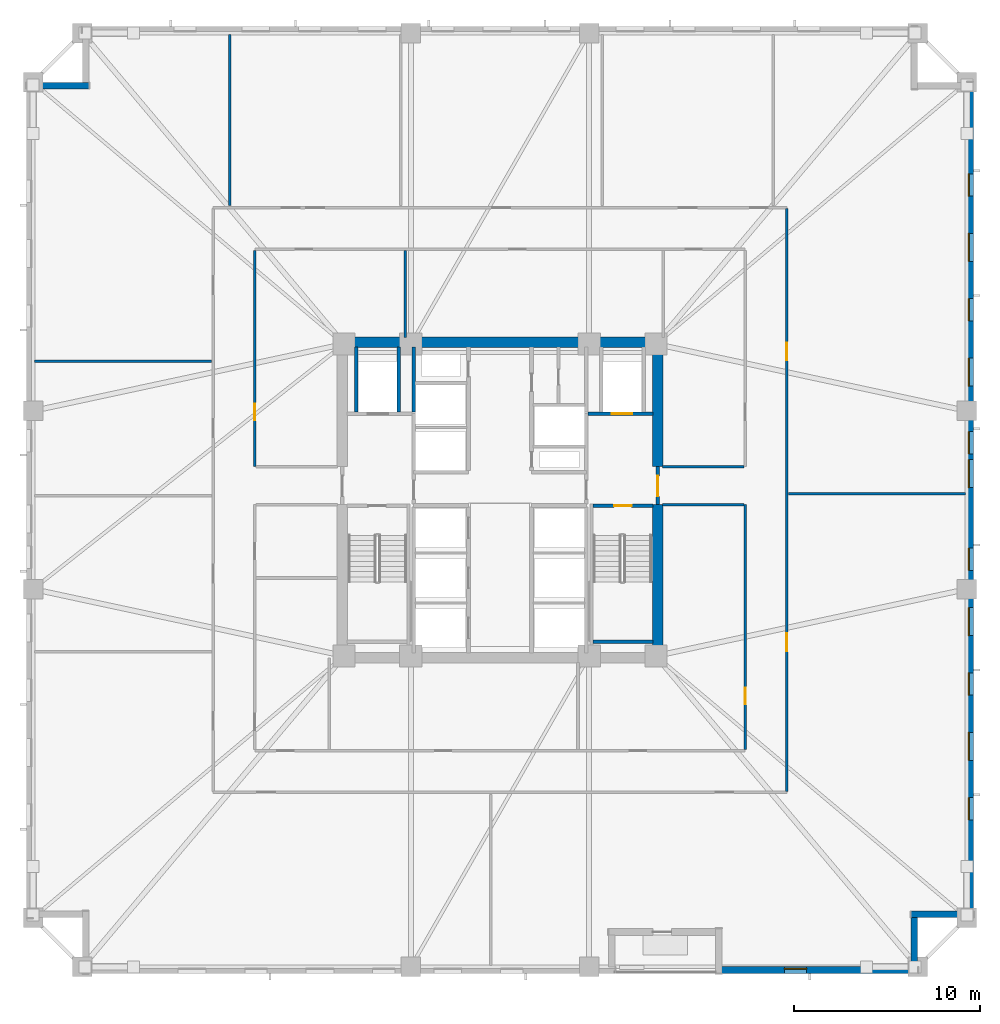
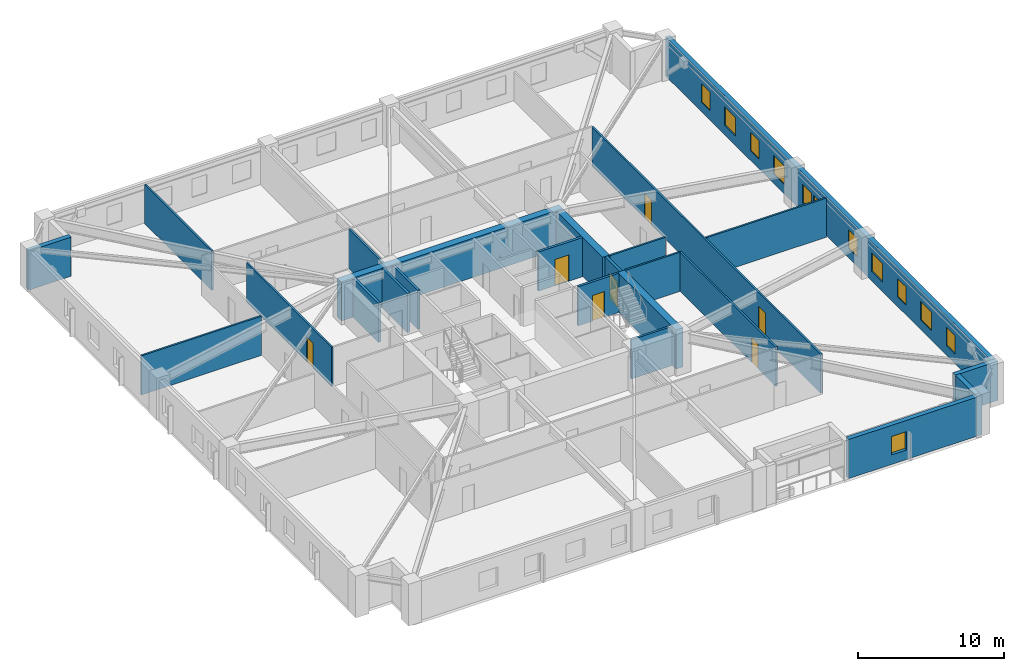
# One storey, part 4 of 11: 24 walls, 12 windows, 7 doors, 19 openings.
"""IFC4 building model written with IfcOpenShell, lengths in metres."""

from ifc_helpers import new_model, si_unit, direction, frame, frame_2d, origin, place, context, subcontext, project, spatial, rectangle, extrude, material, layer, layer_set, type_object, element, fill, save


model = new_model("IFC4")

# Units and contexts
model_context = context("Model", 3, precision=1e-05, world=origin(), true_north=direction((0.0, 1.0)))
body_context = subcontext(model_context, "Body", "Model", "MODEL_VIEW")
ifc_project = project(units=[si_unit("LENGTHUNIT", "METRE"), si_unit("AREAUNIT", "SQUARE_METRE"), si_unit("VOLUMEUNIT", "CUBIC_METRE"), si_unit("PLANEANGLEUNIT", "RADIAN"), si_unit("MASSUNIT", "GRAM", prefix="KILO")], contexts=[model_context])

# Site, building, storey
site_placement = place(None, origin())
site = spatial("IfcSite", under=ifc_project, at=site_placement, CompositionType="ELEMENT")
building_placement = place(site_placement, origin())
building = spatial("IfcBuilding", under=site, at=building_placement, Name="Cairnveth Concourse Tower", CompositionType="ELEMENT")
storey_placement = place(building_placement, frame((0.0, 0.0, 48.0)))
storey = spatial("IfcBuildingStorey", under=building, at=storey_placement, Name="L12", CompositionType="ELEMENT", Elevation=48.0)

# Walls
ifc_material_1 = material(Name="Concrete N80 (80 MPa)", Category="concrete")
ifc_layer_1 = layer(ifc_material_1, 0.550048828125)
ifc_layer_set_1 = layer_set([ifc_layer_1], Name="Concrete N80 (80 MPa)")
wall_type_1 = type_object("IfcWallType", Name="CORE SHEAR WALL 550", PredefinedType="SHEAR", material=ifc_layer_set_1)
wall_1_placement = place(storey_placement, frame((43.22509765625, 47.5, 0.0), z_axis=(0.0, 0.0, 1.0), x_axis=(1.0, 0.0, 0.0)))
element("IfcWall", 1, at=wall_1_placement, inside=storey, type_object=wall_type_1, Name="Core North Shear Wall L12", PredefinedType="SHEAR", context=body_context, shape_type="SweptSolid", body=[
    extrude(rectangle(XDim=17.5498046875, YDim=0.550048828125, at=frame_2d((8.77490234375, 0.0))), origin(), (0.0, 0.0, 1.0), 3.280029296875),
])
wall_2_placement = place(storey_placement, frame((60.5, 30.764892578125, 0.0), z_axis=(0.0, 0.0, 1.0), x_axis=(0.0, 1.0, 0.0)))
element("IfcWall", 2, at=wall_2_placement, inside=storey, type_object=wall_type_1, Name="Core East Shear Wall S L12", PredefinedType="SHEAR", context=body_context, shape_type="SweptSolid", body=[
    extrude(rectangle(XDim=7.985107421875, YDim=0.550048828125, at=frame_2d((3.99267578125, 0.0))), origin(), (0.0, 0.0, 1.0), 3.280029296875),
])
wall_3_placement = place(storey_placement, frame((60.5, 40.800048828125, 0.0), z_axis=(0.0, 0.0, 1.0), x_axis=(0.0, 1.0, 0.0)))
element("IfcWall", 3, at=wall_3_placement, inside=storey, type_object=wall_type_1, Name="Core East Shear Wall N L12", PredefinedType="SHEAR", context=body_context, shape_type="SweptSolid", body=[
    extrude(rectangle(XDim=6.43505859375, YDim=0.550048828125, at=frame_2d((3.217529296875, 0.0))), origin(), (0.0, 0.0, 1.0), 3.280029296875),
])
ifc_material_2 = material(Name="Concrete N50 (50 MPa)", Category="concrete")
ifc_layer_2 = layer(ifc_material_2, 0.179931640625)
ifc_layer_set_2 = layer_set([ifc_layer_2], Name="Concrete N50 (50 MPa)")
wall_type_2 = type_object("IfcWallType", Name="FIRE SHAFT WALL 180", PredefinedType="SOLIDWALL", material=ifc_layer_set_2)
wall_4_placement = place(storey_placement, frame((47.35009765625, 43.735107421875, 0.0), z_axis=(0.0, 0.0, 1.0), x_axis=(0.0, 1.0, 0.0)))
element("IfcWall", 4, at=wall_4_placement, inside=storey, type_object=wall_type_2, Name="Interior Wall IW-L12-031", PredefinedType="SOLIDWALL", context=body_context, shape_type="SweptSolid", body=[
    extrude(rectangle(XDim=3.5048828125, YDim=0.179931640625, at=frame_2d((1.75244140625, 0.0))), origin(), (0.0, 0.0, 1.0), 3.280029296875),
])

# Wall, opening, door
wall_5_placement = place(storey_placement, frame((57.0048828125, 38.68994140625, 0.0), z_axis=(0.0, 0.0, 1.0), x_axis=(1.0, 0.0, 0.0)))
wall_5 = element("IfcWall", 5, at=wall_5_placement, inside=storey, type_object=wall_type_2, Name="Stair ST-2 Shaft Wall NEAR L12", PredefinedType="SOLIDWALL", context=body_context, shape_type="SweptSolid", body=[
    extrude(rectangle(XDim=3.230224609375, YDim=0.179931640625, at=frame_2d((1.615234375, 0.0))), origin(), (0.0, 0.0, 1.0), 3.280029296875),
])
opening_1_placement = place(wall_5_placement, frame((1.139892578125, 0.0, 0.0)))
opening_1 = element("IfcOpeningElement", 6, at=opening_1_placement, cuts=wall_5, Name="Opening ID12", PredefinedType="OPENING", context=body_context, shape_type="SweptSolid", body=[
    extrude(rectangle(XDim=0.949951171875, YDim=2.14990234375, at=frame_2d((0.47509765625, 1.074951171875))), frame((0.0, 0.099853515625, 0.0), z_axis=(0.0, -1.0, 0.0), x_axis=(1.0, 0.0, 0.0)), (0.0, 0.0, 1.0), 0.199951171875),
])
ifc_material_3 = material(Name="Steel Grade 350", Category="steel")
door_type_1 = type_object("IfcDoorType", Name="FIRE STAIR DOOR 950X2150", OperationType="NOTDEFINED", PredefinedType="DOOR", material=ifc_material_3)
door_1_placement = place(opening_1_placement, origin())
door_1 = element("IfcDoor", 7, at=door_1_placement, inside=storey, type_object=door_type_1, Name="Stair ST-2 Fire Door L12", OperationType="SINGLE_SWING_RIGHT", OverallHeight=2.14990234375, OverallWidth=0.949951171875, PredefinedType="DOOR", context=body_context, shape_type="SweptSolid", body=[
    extrude(rectangle(XDim=0.949951171875, YDim=2.14990234375, at=frame_2d((0.47509765625, 1.074951171875))), frame((0.0, 0.02490234375, 0.0), z_axis=(0.0, -1.0, 0.0), x_axis=(1.0, 0.0, 0.0)), (0.0, 0.0, 1.0), 0.050048828125),
])
fill(opening_1, door_1)

# Walls
wall_6_placement = place(storey_placement, frame((57.0048828125, 31.360107421875, 0.0), z_axis=(0.0, 0.0, 1.0), x_axis=(1.0, 0.0, 0.0)))
element("IfcWall", 8, at=wall_6_placement, inside=storey, type_object=wall_type_2, Name="Stair ST-2 Shaft Wall FAR L12", PredefinedType="SOLIDWALL", context=body_context, shape_type="SweptSolid", body=[
    extrude(rectangle(XDim=3.230224609375, YDim=0.179931640625, at=frame_2d((1.615234375, 0.0))), origin(), (0.0, 0.0, 1.0), 3.280029296875),
])
ifc_layer_3 = layer(ifc_material_2, 0.199951171875)
ifc_layer_set_3 = layer_set([ifc_layer_3], Name="Concrete N50 (50 MPa)")
wall_type_3 = type_object("IfcWallType", Name="FIRE SHAFT WALL 200", PredefinedType="SOLIDWALL", material=ifc_layer_set_3)
for number, where, z_axis, x_axis, name in (
    (9, (46.550048828125, 43.735107421875, 0.0), (0.0, 0.0, 1.0), (0.0, 1.0, 0.0), "Interior Wall IW-L12-018"),
    (10, (44.25, 43.735107421875, 0.0), (0.0, 0.0, 1.0), (0.0, 1.0, 0.0), "Interior Wall IW-L12-019"),
):
    element("IfcWall", number, at=place(storey_placement, frame(where, z_axis=z_axis, x_axis=x_axis)), inside=storey, type_object=wall_type_3, Name=name, PredefinedType="SOLIDWALL", context=body_context, shape_type="SweptSolid", body=[
        extrude(rectangle(XDim=3.5048828125, YDim=0.199951171875, at=frame_2d((1.75244140625, 0.0))), origin(), (0.0, 0.0, 1.0), 3.280029296875),
    ])

# Wall, opening, door
wall_7_placement = place(storey_placement, frame((60.5, 38.75, 0.0), z_axis=(0.0, 0.0, 1.0), x_axis=(0.0, 1.0, 0.0)))
wall_7 = element("IfcWall", 11, at=wall_7_placement, inside=storey, type_object=wall_type_3, Name="Interior Wall IW-L12-020", PredefinedType="SOLIDWALL", context=body_context, shape_type="SweptSolid", body=[
    extrude(rectangle(XDim=2.050048828125, YDim=0.199951171875, at=frame_2d((1.02490234375, 0.0))), origin(), (0.0, 0.0, 1.0), 3.280029296875),
])
opening_2_placement = place(wall_7_placement, frame((0.449951171875, 0.0, 0.0)))
opening_2 = element("IfcOpeningElement", 12, at=opening_2_placement, cuts=wall_7, Name="Opening ID06", PredefinedType="OPENING", context=body_context, shape_type="SweptSolid", body=[
    extrude(rectangle(XDim=1.10009765625, YDim=2.14990234375, at=frame_2d((0.550048828125, 1.074951171875))), frame((0.0, 0.10986328125, 0.0), z_axis=(0.0, -1.0, 0.0), x_axis=(1.0, 0.0, 0.0)), (0.0, 0.0, 1.0), 0.219970703125),
])
door_type_2 = type_object("IfcDoorType", Name="FIRE CORRIDOR DOOR 1100X2150", OperationType="NOTDEFINED", PredefinedType="DOOR", material=ifc_material_3)
door_2_placement = place(opening_2_placement, origin())
door_2 = element("IfcDoor", 13, at=door_2_placement, inside=storey, type_object=door_type_2, Name="East Wing to FF Lobby Door L12", OperationType="SINGLE_SWING_RIGHT", OverallHeight=2.14990234375, OverallWidth=1.10009765625, PredefinedType="DOOR", context=body_context, shape_type="SweptSolid", body=[
    extrude(rectangle(XDim=1.10009765625, YDim=2.14990234375, at=frame_2d((0.550048828125, 1.074951171875))), frame((0.0, 0.02490234375, 0.0), z_axis=(0.0, -1.0, 0.0), x_axis=(1.0, 0.0, 0.0)), (0.0, 0.0, 1.0), 0.050048828125),
])
fill(opening_2, door_2)

wall_8_placement = place(storey_placement, frame((56.735107421875, 43.64990234375, 0.0), z_axis=(0.0, 0.0, 1.0), x_axis=(1.0, 0.0, 0.0)))
wall_8 = element("IfcWall", 14, at=wall_8_placement, inside=storey, type_object=wall_type_3, Name="Interior Wall IW-L12-022", PredefinedType="SOLIDWALL", context=body_context, shape_type="SweptSolid", body=[
    extrude(rectangle(XDim=3.5048828125, YDim=0.199951171875, at=frame_2d((1.75244140625, 0.0))), origin(), (0.0, 0.0, 1.0), 3.280029296875),
])
opening_3_placement = place(wall_8_placement, frame((1.294921875, 0.0, 0.0)))
opening_3 = element("IfcOpeningElement", 15, at=opening_3_placement, cuts=wall_8, Name="Opening LD-1", PredefinedType="OPENING", context=body_context, shape_type="SweptSolid", body=[
    extrude(rectangle(XDim=1.10009765625, YDim=2.199951171875, at=frame_2d((0.550048828125, 1.10009765625))), frame((0.0, 0.10986328125, 0.0), z_axis=(0.0, -1.0, 0.0), x_axis=(1.0, 0.0, 0.0)), (0.0, 0.0, 1.0), 0.219970703125),
])
ifc_material_4 = material(Name="Architectural Bronze Anodised Aluminium 6063-T6", Category="aluminium")
door_type_3 = type_object("IfcDoorType", Name="LIFT LANDING DOOR 1100X2200", OperationType="SLIDING_TO_LEFT", PredefinedType="DOOR", material=ifc_material_4)
door_3_placement = place(opening_3_placement, origin())
door_3 = element("IfcDoor", 16, at=door_3_placement, inside=storey, type_object=door_type_3, Name="Lift FFL2 Landing Door L12", OperationType="SLIDING_TO_LEFT", OverallHeight=2.199951171875, OverallWidth=1.10009765625, PredefinedType="DOOR", context=body_context, shape_type="SweptSolid", body=[
    extrude(rectangle(XDim=1.10009765625, YDim=2.199951171875, at=frame_2d((0.550048828125, 1.10009765625))), frame((0.0, 0.02490234375, 0.0), z_axis=(0.0, -1.0, 0.0), x_axis=(1.0, 0.0, 0.0)), (0.0, 0.0, 1.0), 0.050048828125),
])
fill(opening_3, door_3)

# Wall, openings, doors
ifc_material_5 = material(Name="Gypsum Plasterboard Partition", Category="gypsum")
ifc_layer_4 = layer(ifc_material_5, 0.139892578125)
ifc_layer_set_4 = layer_set([ifc_layer_4], Name="Gypsum Plasterboard Partition")
wall_type_4 = type_object("IfcWallType", Name="GYPSUM STUD PARTITION 140", PredefinedType="PARTITIONING", material=ifc_layer_set_4)
wall_9_placement = place(storey_placement, frame((67.449951171875, 23.304931640625, 0.0), z_axis=(0.0, 0.0, 1.0), x_axis=(0.0, 1.0, 0.0)))
wall_9 = element("IfcWall", 17, at=wall_9_placement, inside=storey, type_object=wall_type_4, Name="Interior Wall IW-L12-041", PredefinedType="PARTITIONING", context=body_context, shape_type="SweptSolid", body=[
    extrude(rectangle(XDim=31.39013671875, YDim=0.139892578125, at=frame_2d((15.695068359375, 0.0))), origin(), (0.0, 0.0, 1.0), 3.280029296875),
])
opening_4_placement = place(wall_9_placement, frame((7.560546875, 0.0, 0.0)))
opening_4 = element("IfcOpeningElement", 18, at=opening_4_placement, cuts=wall_9, Name="Opening ID11", PredefinedType="OPENING", context=body_context, shape_type="SweptSolid", body=[
    extrude(rectangle(XDim=0.9599609375, YDim=2.1201171875, at=frame_2d((0.47998046875, 1.06005859375))), frame((0.0, 0.079833984375, 0.0), z_axis=(0.0, -1.0, 0.0), x_axis=(1.0, 0.0, 0.0)), (0.0, 0.0, 1.0), 0.159912109375),
])
opening_5_placement = place(wall_9_placement, frame((23.210693359375, 0.0, 0.0)))
opening_5 = element("IfcOpeningElement", 19, at=opening_5_placement, cuts=wall_9, Name="Opening ID11", PredefinedType="OPENING", context=body_context, shape_type="SweptSolid", body=[
    extrude(rectangle(XDim=0.9599609375, YDim=2.1201171875, at=frame_2d((0.47998046875, 1.06005859375))), frame((0.0, 0.079833984375, 0.0), z_axis=(0.0, -1.0, 0.0), x_axis=(1.0, 0.0, 0.0)), (0.0, 0.0, 1.0), 0.159912109375),
])
ifc_material_6 = material(Name="Solid Core Hardwood Timber Leaf", Category="wood")
door_type_4 = type_object("IfcDoorType", Name="INTERIOR SINGLE DOOR 960X2150", OperationType="NOTDEFINED", PredefinedType="DOOR", material=ifc_material_6)
door_4_placement = place(opening_4_placement, origin())
door_4 = element("IfcDoor", 20, at=door_4_placement, inside=storey, type_object=door_type_4, Name="Office Door L12-E1", OperationType="SINGLE_SWING_RIGHT", OverallHeight=2.1201171875, OverallWidth=0.9599609375, PredefinedType="DOOR", context=body_context, shape_type="SweptSolid", body=[
    extrude(rectangle(XDim=0.9599609375, YDim=2.1201171875, at=frame_2d((0.47998046875, 1.06005859375))), frame((0.0, 0.02490234375, 0.0), z_axis=(0.0, -1.0, 0.0), x_axis=(1.0, 0.0, 0.0)), (0.0, 0.0, 1.0), 0.050048828125),
])
fill(opening_4, door_4)
door_5_placement = place(opening_5_placement, origin())
door_5 = element("IfcDoor", 21, at=door_5_placement, inside=storey, type_object=door_type_4, Name="Office Door L12-E2", OperationType="SINGLE_SWING_LEFT", OverallHeight=2.1201171875, OverallWidth=0.9599609375, PredefinedType="DOOR", context=body_context, shape_type="SweptSolid", body=[
    extrude(rectangle(XDim=0.9599609375, YDim=2.1201171875, at=frame_2d((0.47998046875, 1.06005859375))), frame((0.0, 0.02490234375, 0.0), z_axis=(0.0, -1.0, 0.0), x_axis=(1.0, 0.0, 0.0)), (0.0, 0.0, 1.0), 0.050048828125),
])
fill(opening_5, door_5)

# Wall, opening, door
wall_10_placement = place(storey_placement, frame((38.800048828125, 40.800048828125, 0.0), z_axis=(0.0, 0.0, 1.0), x_axis=(0.0, 1.0, 0.0)))
wall_10 = element("IfcWall", 22, at=wall_10_placement, inside=storey, type_object=wall_type_4, Name="Interior Wall IW-L12-045", PredefinedType="PARTITIONING", context=body_context, shape_type="SweptSolid", body=[
    extrude(rectangle(XDim=11.64501953125, YDim=0.139892578125, at=frame_2d((5.822509765625, 0.0))), origin(), (0.0, 0.0, 1.0), 3.280029296875),
])
opening_6_placement = place(wall_10_placement, frame((2.5, 0.0, 0.0)))
opening_6 = element("IfcOpeningElement", 23, at=opening_6_placement, cuts=wall_10, Name="Opening ID18", PredefinedType="OPENING", context=body_context, shape_type="SweptSolid", body=[
    extrude(rectangle(XDim=0.8798828125, YDim=2.10009765625, at=frame_2d((0.43994140625, 1.050048828125))), frame((0.0, 0.079833984375, 0.0), z_axis=(0.0, -1.0, 0.0), x_axis=(1.0, 0.0, 0.0)), (0.0, 0.0, 1.0), 0.159912109375),
])
door_type_5 = type_object("IfcDoorType", Name="INTERIOR SINGLE DOOR 880X2100", OperationType="NOTDEFINED", PredefinedType="DOOR", material=ifc_material_6)
door_6_placement = place(opening_6_placement, origin())
door_6 = element("IfcDoor", 24, at=door_6_placement, inside=storey, type_object=door_type_5, Name="Interior Door DR-L12-022", OperationType="SINGLE_SWING_RIGHT", OverallHeight=2.10009765625, OverallWidth=0.8798828125, PredefinedType="DOOR", context=body_context, shape_type="SweptSolid", body=[
    extrude(rectangle(XDim=0.8798828125, YDim=2.10009765625, at=frame_2d((0.43994140625, 1.050048828125))), frame((0.0, 0.02490234375, 0.0), z_axis=(0.0, -1.0, 0.0), x_axis=(1.0, 0.0, 0.0)), (0.0, 0.0, 1.0), 0.050048828125),
])
fill(opening_6, door_6)

wall_11_placement = place(storey_placement, frame((65.199951171875, 25.554931640625, 0.0), z_axis=(0.0, 0.0, 1.0), x_axis=(0.0, 1.0, 0.0)))
wall_11 = element("IfcWall", 25, at=wall_11_placement, inside=storey, type_object=wall_type_4, Name="Interior Wall IW-L12-048", PredefinedType="PARTITIONING", context=body_context, shape_type="SweptSolid", body=[
    extrude(rectangle(XDim=13.195068359375, YDim=0.139892578125, at=frame_2d((6.59765625, 0.0))), origin(), (0.0, 0.0, 1.0), 3.280029296875),
])
opening_7_placement = place(wall_11_placement, frame((2.445068359375, 0.0, 0.0)))
opening_7 = element("IfcOpeningElement", 26, at=opening_7_placement, cuts=wall_11, Name="Opening ID18", PredefinedType="OPENING", context=body_context, shape_type="SweptSolid", body=[
    extrude(rectangle(XDim=0.8798828125, YDim=2.10009765625, at=frame_2d((0.43994140625, 1.050048828125))), frame((0.0, 0.079833984375, 0.0), z_axis=(0.0, -1.0, 0.0), x_axis=(1.0, 0.0, 0.0)), (0.0, 0.0, 1.0), 0.159912109375),
])
door_7_placement = place(opening_7_placement, origin())
door_7 = element("IfcDoor", 27, at=door_7_placement, inside=storey, type_object=door_type_5, Name="Interior Door DR-L12-023", OperationType="SINGLE_SWING_LEFT", OverallHeight=2.10009765625, OverallWidth=0.8798828125, PredefinedType="DOOR", context=body_context, shape_type="SweptSolid", body=[
    extrude(rectangle(XDim=0.8798828125, YDim=2.10009765625, at=frame_2d((0.43994140625, 1.050048828125))), frame((0.0, 0.02490234375, 0.0), z_axis=(0.0, -1.0, 0.0), x_axis=(1.0, 0.0, 0.0)), (0.0, 0.0, 1.0), 0.050048828125),
])
fill(opening_7, door_7)

# Walls
for number, where, z_axis, x_axis, name in (
    (28, (60.760009765625, 38.75, 0.0), (0.0, 0.0, 1.0), (1.0, 0.0, 0.0), "Interior Wall IW-L12-050"),
    (29, (60.760009765625, 40.800048828125, 0.0), (0.0, 0.0, 1.0), (1.0, 0.0, 0.0), "Interior Wall IW-L12-051"),
):
    element("IfcWall", number, at=place(storey_placement, frame(where, z_axis=z_axis, x_axis=x_axis)), inside=storey, type_object=wall_type_4, Name=name, PredefinedType="PARTITIONING", context=body_context, shape_type="SweptSolid", body=[
        extrude(rectangle(XDim=4.385009765625, YDim=0.139892578125, at=frame_2d((2.1923828125, 0.0))), origin(), (0.0, 0.0, 1.0), 3.280029296875),
    ])
wall_12_placement = place(storey_placement, frame((46.89990234375, 47.760009765625, 0.0), z_axis=(0.0, 0.0, 1.0), x_axis=(0.0, 1.0, 0.0)))
element("IfcWall", 30, at=wall_12_placement, inside=storey, type_object=wall_type_4, Name="Interior Wall IW-L12-054", PredefinedType="PARTITIONING", context=body_context, shape_type="SweptSolid", body=[
    extrude(rectangle(XDim=4.68505859375, YDim=0.139892578125, at=frame_2d((2.342529296875, 0.0))), origin(), (0.0, 0.0, 1.0), 3.280029296875),
])
wall_13_placement = place(storey_placement, frame((37.439453125, 54.85009765625, 0.0), z_axis=(0.0, 0.0, 1.0), x_axis=(0.0, 1.0, 0.0)))
element("IfcWall", 31, at=wall_13_placement, inside=storey, type_object=wall_type_4, Name="Interior Wall IW-L12-058", PredefinedType="PARTITIONING", context=body_context, shape_type="SweptSolid", body=[
    extrude(rectangle(XDim=9.22998046875, YDim=0.139892578125, at=frame_2d((4.614990234375, 0.0))), origin(), (0.0, 0.0, 1.0), 3.280029296875),
])
for number, where, z_axis, x_axis, name in (
    (32, (26.919921875, 46.48388671875, 0.0), (0.0, 0.0, 1.0), (1.0, 0.0, 0.0), "Interior Wall IW-L12-064"),
    (33, (67.550048828125, 39.34130859375, 0.0), (0.0, 0.0, 1.0), (1.0, 0.0, 0.0), "Interior Wall IW-L12-065"),
):
    element("IfcWall", number, at=place(storey_placement, frame(where, z_axis=z_axis, x_axis=x_axis)), inside=storey, type_object=wall_type_4, Name=name, PredefinedType="PARTITIONING", context=body_context, shape_type="SweptSolid", body=[
        extrude(rectangle(XDim=9.530029296875, YDim=0.139892578125, at=frame_2d((4.76513671875, 0.0))), origin(), (0.0, 0.0, 1.0), 3.280029296875),
    ])
ifc_material_7 = material(Name="Hawthorn Red-Ochre Fired Clay Brick Masonry", Category="masonry")
ifc_layer_5 = layer(ifc_material_7, 0.360107421875)
ifc_layer_set_5 = layer_set([ifc_layer_5], Name="Hawthorn Red-Ochre Fired Clay Brick Masonry")
wall_type_5 = type_object("IfcWallType", Name="ZONE 1 BRICK PIER SPANDREL WALL 360", PredefinedType="SOLIDWALL", material=ifc_layer_set_5)
wall_14_placement = place(storey_placement, frame((26.5, 61.320068359375, 0.0), z_axis=(0.0, 0.0, 1.0), x_axis=(1.0, 0.0, 0.0)))
element("IfcWall", 34, at=wall_14_placement, inside=storey, type_object=wall_type_5, Name="Exterior Wall EW-L12-S04", PredefinedType="SOLIDWALL", context=body_context, shape_type="SweptSolid", body=[
    extrude(rectangle(XDim=3.360107421875, YDim=0.360107421875, at=frame_2d((1.68017578125, 0.0))), origin(), (0.0, 0.0, 1.0), 3.280029296875),
])

# Wall, openings, windows
wall_15_placement = place(storey_placement, frame((77.320068359375, 61.5, 0.0), z_axis=(0.0, 0.0, 1.0), x_axis=(0.0, -1.0, 0.0)))
wall_15 = element("IfcWall", 35, at=wall_15_placement, inside=storey, type_object=wall_type_5, Name="Exterior Wall EW-L12-S09", PredefinedType="SOLIDWALL", context=body_context, shape_type="SweptSolid", body=[
    extrude(rectangle(XDim=44.662109375, YDim=0.360107421875, at=frame_2d((22.3310546875, 0.0))), origin(), (0.0, 0.0, 1.0), 3.280029296875),
])
opening_8_placement = place(wall_15_placement, frame((4.93017578125, 0.0, 0.800048828125)))
opening_8 = element("IfcOpeningElement", 36, at=opening_8_placement, cuts=wall_15, Name="Opening W01", PredefinedType="OPENING", context=body_context, shape_type="SweptSolid", body=[
    extrude(rectangle(XDim=1.199951171875, YDim=1.5439453125, at=frame_2d((0.60009765625, 0.77197265625))), frame((0.0, 0.18994140625, 0.0), z_axis=(0.0, -1.0, 0.0), x_axis=(1.0, 0.0, 0.0)), (0.0, 0.0, 1.0), 0.380126953125),
])
opening_9_placement = place(wall_15_placement, frame((8.140380859375, 0.0, 0.800048828125)))
opening_9 = element("IfcOpeningElement", 37, at=opening_9_placement, cuts=wall_15, Name="Opening W03", PredefinedType="OPENING", context=body_context, shape_type="SweptSolid", body=[
    extrude(rectangle(XDim=1.5, YDim=1.5439453125, at=frame_2d((0.75, 0.77197265625))), frame((0.0, 0.18994140625, 0.0), z_axis=(0.0, -1.0, 0.0), x_axis=(1.0, 0.0, 0.0)), (0.0, 0.0, 1.0), 0.380126953125),
])
opening_10_placement = place(wall_15_placement, frame((11.650390625, 0.0, 0.800048828125)))
opening_10 = element("IfcOpeningElement", 38, at=opening_10_placement, cuts=wall_15, Name="Opening W01", PredefinedType="OPENING", context=body_context, shape_type="SweptSolid", body=[
    extrude(rectangle(XDim=1.199951171875, YDim=1.5439453125, at=frame_2d((0.60009765625, 0.77197265625))), frame((0.0, 0.18994140625, 0.0), z_axis=(0.0, -1.0, 0.0), x_axis=(1.0, 0.0, 0.0)), (0.0, 0.0, 1.0), 0.380126953125),
])
opening_11_placement = place(wall_15_placement, frame((14.860595703125, 0.0, 0.800048828125)))
opening_11 = element("IfcOpeningElement", 39, at=opening_11_placement, cuts=wall_15, Name="Opening W03", PredefinedType="OPENING", context=body_context, shape_type="SweptSolid", body=[
    extrude(rectangle(XDim=1.5, YDim=1.5439453125, at=frame_2d((0.75, 0.77197265625))), frame((0.0, 0.18994140625, 0.0), z_axis=(0.0, -1.0, 0.0), x_axis=(1.0, 0.0, 0.0)), (0.0, 0.0, 1.0), 0.380126953125),
])
opening_12_placement = place(wall_15_placement, frame((18.82080078125, 0.0, 0.800048828125)))
opening_12 = element("IfcOpeningElement", 40, at=opening_12_placement, cuts=wall_15, Name="Opening W01", PredefinedType="OPENING", context=body_context, shape_type="SweptSolid", body=[
    extrude(rectangle(XDim=1.199951171875, YDim=1.5439453125, at=frame_2d((0.60009765625, 0.77197265625))), frame((0.0, 0.18994140625, 0.0), z_axis=(0.0, -1.0, 0.0), x_axis=(1.0, 0.0, 0.0)), (0.0, 0.0, 1.0), 0.380126953125),
])
opening_13_placement = place(wall_15_placement, frame((20.3310546875, 0.0, 0.800048828125)))
opening_13 = element("IfcOpeningElement", 41, at=opening_13_placement, cuts=wall_15, Name="Opening W03", PredefinedType="OPENING", context=body_context, shape_type="SweptSolid", body=[
    extrude(rectangle(XDim=1.5, YDim=1.5439453125, at=frame_2d((0.75, 0.77197265625))), frame((0.0, 0.18994140625, 0.0), z_axis=(0.0, -1.0, 0.0), x_axis=(1.0, 0.0, 0.0)), (0.0, 0.0, 1.0), 0.380126953125),
])
opening_14_placement = place(wall_15_placement, frame((25.09130859375, 0.0, 0.800048828125)))
opening_14 = element("IfcOpeningElement", 42, at=opening_14_placement, cuts=wall_15, Name="Opening W01", PredefinedType="OPENING", context=body_context, shape_type="SweptSolid", body=[
    extrude(rectangle(XDim=1.199951171875, YDim=1.5439453125, at=frame_2d((0.60009765625, 0.77197265625))), frame((0.0, 0.18994140625, 0.0), z_axis=(0.0, -1.0, 0.0), x_axis=(1.0, 0.0, 0.0)), (0.0, 0.0, 1.0), 0.380126953125),
])
opening_15_placement = place(wall_15_placement, frame((28.301513671875, 0.0, 0.800048828125)))
opening_15 = element("IfcOpeningElement", 43, at=opening_15_placement, cuts=wall_15, Name="Opening W03", PredefinedType="OPENING", context=body_context, shape_type="SweptSolid", body=[
    extrude(rectangle(XDim=1.5, YDim=1.5439453125, at=frame_2d((0.75, 0.77197265625))), frame((0.0, 0.18994140625, 0.0), z_axis=(0.0, -1.0, 0.0), x_axis=(1.0, 0.0, 0.0)), (0.0, 0.0, 1.0), 0.380126953125),
])
opening_16_placement = place(wall_15_placement, frame((31.8115234375, 0.0, 0.800048828125)))
opening_16 = element("IfcOpeningElement", 44, at=opening_16_placement, cuts=wall_15, Name="Opening W01", PredefinedType="OPENING", context=body_context, shape_type="SweptSolid", body=[
    extrude(rectangle(XDim=1.199951171875, YDim=1.5439453125, at=frame_2d((0.60009765625, 0.77197265625))), frame((0.0, 0.18994140625, 0.0), z_axis=(0.0, -1.0, 0.0), x_axis=(1.0, 0.0, 0.0)), (0.0, 0.0, 1.0), 0.380126953125),
])
opening_17_placement = place(wall_15_placement, frame((35.021728515625, 0.0, 0.800048828125)))
opening_17 = element("IfcOpeningElement", 45, at=opening_17_placement, cuts=wall_15, Name="Opening W03", PredefinedType="OPENING", context=body_context, shape_type="SweptSolid", body=[
    extrude(rectangle(XDim=1.5, YDim=1.5439453125, at=frame_2d((0.75, 0.77197265625))), frame((0.0, 0.18994140625, 0.0), z_axis=(0.0, -1.0, 0.0), x_axis=(1.0, 0.0, 0.0)), (0.0, 0.0, 1.0), 0.380126953125),
])
opening_18_placement = place(wall_15_placement, frame((38.531982421875, 0.0, 0.800048828125)))
opening_18 = element("IfcOpeningElement", 46, at=opening_18_placement, cuts=wall_15, Name="Opening W01", PredefinedType="OPENING", context=body_context, shape_type="SweptSolid", body=[
    extrude(rectangle(XDim=1.199951171875, YDim=1.5439453125, at=frame_2d((0.60009765625, 0.77197265625))), frame((0.0, 0.18994140625, 0.0), z_axis=(0.0, -1.0, 0.0), x_axis=(1.0, 0.0, 0.0)), (0.0, 0.0, 1.0), 0.380126953125),
])
ifc_material_8 = material(Name="Double Glazed Low-E Clear Glass", Category="glass")
window_type_1 = type_object("IfcWindowType", Name="DEEP-SET GOTHIC LANCET WINDOW 1200X1800", PartitioningType="DOUBLE_PANEL_VERTICAL", PredefinedType="WINDOW", material=ifc_material_8)
window_1_placement = place(opening_8_placement, origin())
window_1 = element("IfcWindow", 47, at=window_1_placement, inside=storey, type_object=window_type_1, Name="Gothic Lancet Window L12-9-1", OverallHeight=1.5439453125, OverallWidth=1.199951171875, PartitioningType="SINGLE_PANEL", PredefinedType="WINDOW", context=body_context, shape_type="SweptSolid", body=[
    extrude(rectangle(XDim=1.199951171875, YDim=1.5439453125, at=frame_2d((0.60009765625, 0.77197265625))), frame((0.0, -0.050048828125, 0.0), z_axis=(0.0, -1.0, 0.0), x_axis=(1.0, 0.0, 0.0)), (0.0, 0.0, 1.0), 0.06005859375),
])
fill(opening_8, window_1)
window_2_placement = place(opening_10_placement, origin())
window_2 = element("IfcWindow", 48, at=window_2_placement, inside=storey, type_object=window_type_1, Name="Gothic Lancet Window L12-9-3", OverallHeight=1.5439453125, OverallWidth=1.199951171875, PartitioningType="SINGLE_PANEL", PredefinedType="WINDOW", context=body_context, shape_type="SweptSolid", body=[
    extrude(rectangle(XDim=1.199951171875, YDim=1.5439453125, at=frame_2d((0.60009765625, 0.77197265625))), frame((0.0, -0.050048828125, 0.0), z_axis=(0.0, -1.0, 0.0), x_axis=(1.0, 0.0, 0.0)), (0.0, 0.0, 1.0), 0.06005859375),
])
fill(opening_10, window_2)
window_3_placement = place(opening_12_placement, origin())
window_3 = element("IfcWindow", 49, at=window_3_placement, inside=storey, type_object=window_type_1, Name="Gothic Lancet Window L12-9-5", OverallHeight=1.5439453125, OverallWidth=1.199951171875, PartitioningType="SINGLE_PANEL", PredefinedType="WINDOW", context=body_context, shape_type="SweptSolid", body=[
    extrude(rectangle(XDim=1.199951171875, YDim=1.5439453125, at=frame_2d((0.60009765625, 0.77197265625))), frame((0.0, -0.050048828125, 0.0), z_axis=(0.0, -1.0, 0.0), x_axis=(1.0, 0.0, 0.0)), (0.0, 0.0, 1.0), 0.06005859375),
])
fill(opening_12, window_3)
window_4_placement = place(opening_14_placement, origin())
window_4 = element("IfcWindow", 50, at=window_4_placement, inside=storey, type_object=window_type_1, Name="Gothic Lancet Window L12-9-7", OverallHeight=1.5439453125, OverallWidth=1.199951171875, PartitioningType="SINGLE_PANEL", PredefinedType="WINDOW", context=body_context, shape_type="SweptSolid", body=[
    extrude(rectangle(XDim=1.199951171875, YDim=1.5439453125, at=frame_2d((0.60009765625, 0.77197265625))), frame((0.0, -0.050048828125, 0.0), z_axis=(0.0, -1.0, 0.0), x_axis=(1.0, 0.0, 0.0)), (0.0, 0.0, 1.0), 0.06005859375),
])
fill(opening_14, window_4)
window_5_placement = place(opening_16_placement, origin())
window_5 = element("IfcWindow", 51, at=window_5_placement, inside=storey, type_object=window_type_1, Name="Gothic Lancet Window L12-9-9", OverallHeight=1.5439453125, OverallWidth=1.199951171875, PartitioningType="SINGLE_PANEL", PredefinedType="WINDOW", context=body_context, shape_type="SweptSolid", body=[
    extrude(rectangle(XDim=1.199951171875, YDim=1.5439453125, at=frame_2d((0.60009765625, 0.77197265625))), frame((0.0, -0.050048828125, 0.0), z_axis=(0.0, -1.0, 0.0), x_axis=(1.0, 0.0, 0.0)), (0.0, 0.0, 1.0), 0.06005859375),
])
fill(opening_16, window_5)
window_6_placement = place(opening_18_placement, origin())
window_6 = element("IfcWindow", 52, at=window_6_placement, inside=storey, type_object=window_type_1, Name="Gothic Lancet Window L12-9-11", OverallHeight=1.5439453125, OverallWidth=1.199951171875, PartitioningType="SINGLE_PANEL", PredefinedType="WINDOW", context=body_context, shape_type="SweptSolid", body=[
    extrude(rectangle(XDim=1.199951171875, YDim=1.5439453125, at=frame_2d((0.60009765625, 0.77197265625))), frame((0.0, -0.050048828125, 0.0), z_axis=(0.0, -1.0, 0.0), x_axis=(1.0, 0.0, 0.0)), (0.0, 0.0, 1.0), 0.06005859375),
])
fill(opening_18, window_6)
window_type_2 = type_object("IfcWindowType", Name="DEEP-SET GOTHIC LANCET WINDOW 1500X1800", PartitioningType="DOUBLE_PANEL_VERTICAL", PredefinedType="WINDOW", material=ifc_material_8)
window_7_placement = place(opening_9_placement, origin())
window_7 = element("IfcWindow", 53, at=window_7_placement, inside=storey, type_object=window_type_2, Name="Gothic Lancet Window L12-9-2", OverallHeight=1.5439453125, OverallWidth=1.5, PartitioningType="SINGLE_PANEL", PredefinedType="WINDOW", context=body_context, shape_type="SweptSolid", body=[
    extrude(rectangle(XDim=1.5, YDim=1.5439453125, at=frame_2d((0.75, 0.77197265625))), frame((0.0, -0.050048828125, 0.0), z_axis=(0.0, -1.0, 0.0), x_axis=(1.0, 0.0, 0.0)), (0.0, 0.0, 1.0), 0.06005859375),
])
fill(opening_9, window_7)
window_8_placement = place(opening_11_placement, origin())
window_8 = element("IfcWindow", 54, at=window_8_placement, inside=storey, type_object=window_type_2, Name="Gothic Lancet Window L12-9-4", OverallHeight=1.5439453125, OverallWidth=1.5, PartitioningType="SINGLE_PANEL", PredefinedType="WINDOW", context=body_context, shape_type="SweptSolid", body=[
    extrude(rectangle(XDim=1.5, YDim=1.5439453125, at=frame_2d((0.75, 0.77197265625))), frame((0.0, -0.050048828125, 0.0), z_axis=(0.0, -1.0, 0.0), x_axis=(1.0, 0.0, 0.0)), (0.0, 0.0, 1.0), 0.06005859375),
])
fill(opening_11, window_8)
window_9_placement = place(opening_13_placement, origin())
window_9 = element("IfcWindow", 55, at=window_9_placement, inside=storey, type_object=window_type_2, Name="Gothic Lancet Window L12-9-6", OverallHeight=1.5439453125, OverallWidth=1.5, PartitioningType="SINGLE_PANEL", PredefinedType="WINDOW", context=body_context, shape_type="SweptSolid", body=[
    extrude(rectangle(XDim=1.5, YDim=1.5439453125, at=frame_2d((0.75, 0.77197265625))), frame((0.0, -0.050048828125, 0.0), z_axis=(0.0, -1.0, 0.0), x_axis=(1.0, 0.0, 0.0)), (0.0, 0.0, 1.0), 0.06005859375),
])
fill(opening_13, window_9)
window_10_placement = place(opening_15_placement, origin())
window_10 = element("IfcWindow", 56, at=window_10_placement, inside=storey, type_object=window_type_2, Name="Gothic Lancet Window L12-9-8", OverallHeight=1.5439453125, OverallWidth=1.5, PartitioningType="SINGLE_PANEL", PredefinedType="WINDOW", context=body_context, shape_type="SweptSolid", body=[
    extrude(rectangle(XDim=1.5, YDim=1.5439453125, at=frame_2d((0.75, 0.77197265625))), frame((0.0, -0.050048828125, 0.0), z_axis=(0.0, -1.0, 0.0), x_axis=(1.0, 0.0, 0.0)), (0.0, 0.0, 1.0), 0.06005859375),
])
fill(opening_15, window_10)
window_11_placement = place(opening_17_placement, origin())
window_11 = element("IfcWindow", 57, at=window_11_placement, inside=storey, type_object=window_type_2, Name="Gothic Lancet Window L12-9-10", OverallHeight=1.5439453125, OverallWidth=1.5, PartitioningType="SINGLE_PANEL", PredefinedType="WINDOW", context=body_context, shape_type="SweptSolid", body=[
    extrude(rectangle(XDim=1.5, YDim=1.5439453125, at=frame_2d((0.75, 0.77197265625))), frame((0.0, -0.050048828125, 0.0), z_axis=(0.0, -1.0, 0.0), x_axis=(1.0, 0.0, 0.0)), (0.0, 0.0, 1.0), 0.06005859375),
])
fill(opening_17, window_11)

# Walls
wall_16_placement = place(storey_placement, frame((77.5, 16.679931640625, 0.0), z_axis=(0.0, 0.0, 1.0), x_axis=(-1.0, 0.0, 0.0)))
element("IfcWall", 58, at=wall_16_placement, inside=storey, type_object=wall_type_5, Name="Exterior Wall EW-L12-S10", PredefinedType="SOLIDWALL", context=body_context, shape_type="SweptSolid", body=[
    extrude(rectangle(XDim=3.360107421875, YDim=0.360107421875, at=frame_2d((1.68017578125, 0.0))), origin(), (0.0, 0.0, 1.0), 3.280029296875),
])
wall_17_placement = place(storey_placement, frame((74.320068359375, 16.52197265625, 0.0), z_axis=(0.0, 0.0, 1.0), x_axis=(0.0, -1.0, 0.0)))
element("IfcWall", 59, at=wall_17_placement, inside=storey, type_object=wall_type_5, Name="Exterior Wall EW-L12-S11", PredefinedType="SOLIDWALL", context=body_context, shape_type="SweptSolid", body=[
    extrude(rectangle(XDim=2.68408203125, YDim=0.360107421875, at=frame_2d((1.342041015625, 0.0))), origin(), (0.0, 0.0, 1.0), 3.280029296875),
])

# Wall, opening, window
wall_18_placement = place(storey_placement, frame((74.5, 13.679931640625, 0.0), z_axis=(0.0, 0.0, 1.0), x_axis=(-1.0, 0.0, 0.0)))
wall_18 = element("IfcWall", 60, at=wall_18_placement, inside=storey, type_object=wall_type_5, Name="Exterior Wall EW-L12-S12", PredefinedType="SOLIDWALL", context=body_context, shape_type="SweptSolid", body=[
    extrude(rectangle(XDim=10.56201171875, YDim=0.360107421875, at=frame_2d((5.281005859375, 0.0))), origin(), (0.0, 0.0, 1.0), 3.280029296875),
])
opening_19_placement = place(wall_18_placement, frame((5.98095703125, 0.0, 0.800048828125)))
opening_19 = element("IfcOpeningElement", 61, at=opening_19_placement, cuts=wall_18, Name="Opening W01", PredefinedType="OPENING", context=body_context, shape_type="SweptSolid", body=[
    extrude(rectangle(XDim=1.199951171875, YDim=1.5439453125, at=frame_2d((0.60009765625, 0.77197265625))), frame((0.0, 0.18994140625, 0.0), z_axis=(0.0, -1.0, 0.0), x_axis=(1.0, 0.0, 0.0)), (0.0, 0.0, 1.0), 0.380126953125),
])
window_12_placement = place(opening_19_placement, origin())
window_12 = element("IfcWindow", 62, at=window_12_placement, inside=storey, type_object=window_type_1, Name="Gothic Lancet Window L12-12-1", OverallHeight=1.5439453125, OverallWidth=1.199951171875, PartitioningType="SINGLE_PANEL", PredefinedType="WINDOW", context=body_context, shape_type="SweptSolid", body=[
    extrude(rectangle(XDim=1.199951171875, YDim=1.5439453125, at=frame_2d((0.60009765625, 0.77197265625))), frame((0.0, -0.050048828125, 0.0), z_axis=(0.0, -1.0, 0.0), x_axis=(1.0, 0.0, 0.0)), (0.0, 0.0, 1.0), 0.06005859375),
])
fill(opening_19, window_12)

save(model, "model.ifc")
